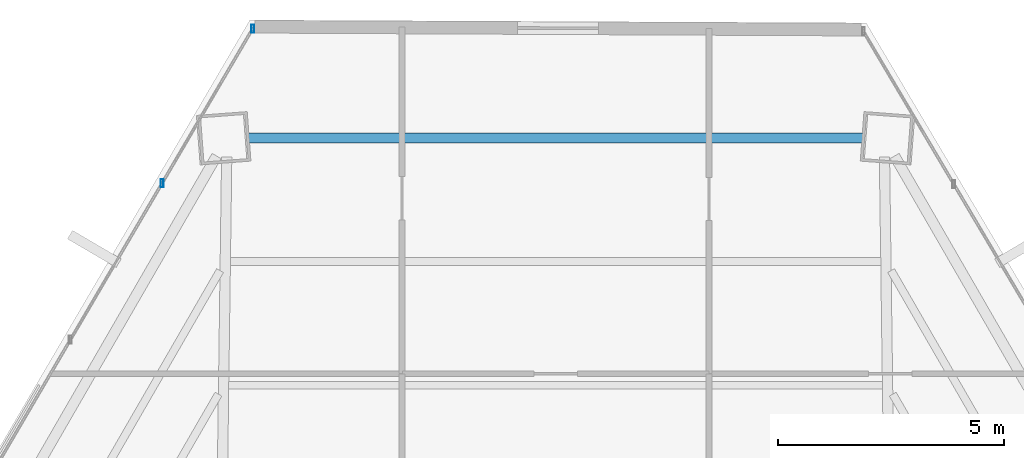
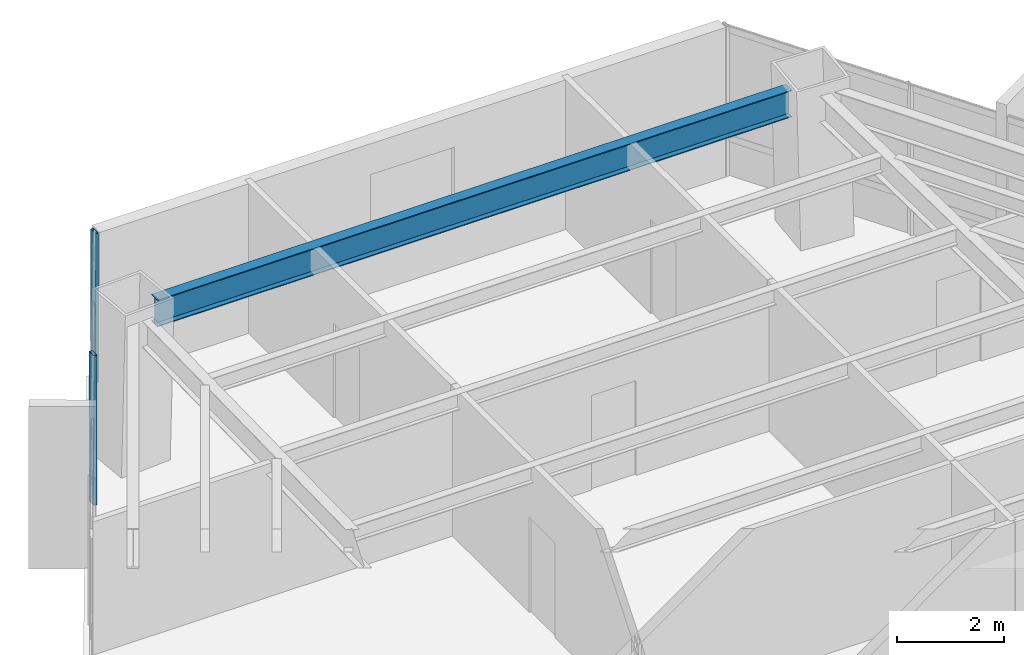
# One storey, part 25 of 35: 2 members, 1 beam, 1 element without a shape of its own.
"""IFC4 building model written with IfcOpenShell, lengths in metres."""

from ifc_helpers import new_model, si_unit, direction, frame, origin, origin_2d, place, context, subcontext, project, spatial, hollow_rectangle, i_section, extrude, source, transform, mapped, material, material_profile, profile_set, type_object, type_shapes, element, aggregate, save


model = new_model("IFC4")

# Units and contexts
model_context = context("Model", 3, precision=1e-05, world=origin(), true_north=direction((0.0, 1.0)))
body_context = subcontext(model_context, "Body", "Model", "MODEL_VIEW")
ifc_project = project(units=[si_unit("LENGTHUNIT", "METRE"), si_unit("AREAUNIT", "SQUARE_METRE"), si_unit("VOLUMEUNIT", "CUBIC_METRE"), si_unit("PLANEANGLEUNIT", "RADIAN"), si_unit("MASSUNIT", "GRAM", prefix="KILO")], contexts=[model_context])

# Site, building, storey
site_placement = place(None, origin())
site = spatial("IfcSite", under=ifc_project, at=site_placement, CompositionType="ELEMENT")
building_placement = place(site_placement, origin())
building = spatial("IfcBuilding", under=site, at=building_placement, Name="Caelisora Broadcast Tower", CompositionType="ELEMENT")
storey_placement = place(building_placement, frame((0.0, 0.0, 109.050048828125)))
storey = spatial("IfcBuildingStorey", under=building, at=storey_placement, Name="L28", CompositionType="ELEMENT", Elevation=109.050048828125)

# Beam
ifc_material_1 = material(Name="Steel Grade 350 (AS/NZS 3679.1)", Category="steel")
ifc_material_profile_1 = material_profile(ifc_material_1, i_section(OverallWidth=0.22900390625, OverallDepth=0.611572265625, WebThickness=0.011962890625, FlangeThickness=0.01953125, at=origin_2d()), Name="Steel Grade 350 (AS/NZS 3679.1)")
ifc_profile_set_1 = profile_set([ifc_material_profile_1], Name="Steel Grade 350 (AS/NZS 3679.1)")
beam_type = type_object("IfcBeamType", Name="PG03", PredefinedType="BEAM", material=ifc_profile_set_1)
shared_shape_1 = source(origin(), body_context, "Body", "SweptSolid", [
    extrude(i_section(OverallWidth=0.22900390625, OverallDepth=0.611572265625, WebThickness=0.011962890625, FlangeThickness=0.01953125, at=origin_2d()), origin(), (0.0, 0.0, 1.0), 13.63720703125),
])
type_shapes(beam_type, [shared_shape_1])
beam_placement = place(storey_placement, frame((44.818603515625, 46.421875, 3.09423828125), z_axis=(-1.0, 0.0, 0.0), x_axis=(0.0, -1.0, 0.0)))
element("IfcBeam", 1, at=beam_placement, inside=storey, type_object=beam_type, Name="L28 beam PG03", PredefinedType="BEAM", context=body_context, shape_type="MappedRepresentation", body=[
    mapped(shared_shape_1, transform((0.0, 0.0, 0.0), scale=1.0)),
])

# Curtain wall, members
ifc_material_2 = material(Name="Unitised Aluminium and Low-E Glass Curtain Wall", Category="glass")
curtain_wall_type = type_object("IfcCurtainWallType", Name="CW-Z2", PredefinedType="NOTDEFINED", material=ifc_material_2)
curtain_wall_placement = place(storey_placement, origin())
curtain_wall = element("IfcCurtainWall", 2, at=curtain_wall_placement, inside=storey, type_object=curtain_wall_type, Name="L28 curtain wall CW-Z2", PredefinedType="NOTDEFINED")
ifc_material_3 = material(Name="Aluminium 6063-T6 Anodised Terracotta Bronze", Category="aluminium")
ifc_material_profile_2 = material_profile(ifc_material_3, hollow_rectangle(XDim=0.06494140625, YDim=0.179931640625, WallThickness=0.00341796875, at=origin_2d()), Name="Aluminium 6063-T6 Anodised Terracotta Bronze")
ifc_profile_set_2 = profile_set([ifc_material_profile_2], Name="Aluminium 6063-T6 Anodised Terracotta Bronze")
member_type = type_object("IfcMemberType", Name="CWM-02", PredefinedType="MULLION", material=ifc_profile_set_2)
shared_shape_2 = source(origin(), body_context, "Body", "SweptSolid", [
    extrude(hollow_rectangle(XDim=0.06494140625, YDim=0.179931640625, WallThickness=0.00341796875, at=origin_2d()), origin(), (0.0, 0.0, 1.0), 3.39990234375),
])
type_shapes(member_type, [shared_shape_2])
member_1_placement = place(storey_placement, frame((29.283203125, 45.418212890625, 0.0), z_axis=(0.0, 0.0, 1.0), x_axis=(1.0, 0.0, 0.0)))
member_1 = element("IfcMember", 3, at=member_1_placement, type_object=member_type, Name="L28-CW-B11 mullion #2", PredefinedType="MULLION", context=body_context, shape_type="MappedRepresentation", body=[
    mapped(shared_shape_2, transform((0.0, 0.0, 0.0), scale=1.0)),
])
member_2_placement = place(storey_placement, frame((31.289794921875, 48.843017578125, 0.0), z_axis=(0.0, 0.0, 1.0), x_axis=(1.0, 0.0, 0.0)))
member_2 = element("IfcMember", 4, at=member_2_placement, type_object=member_type, Name="L28-CW-B11 mullion #3", PredefinedType="MULLION", context=body_context, shape_type="MappedRepresentation", body=[
    mapped(shared_shape_2, transform((0.0, 0.0, 0.0), scale=1.0)),
])
aggregate(curtain_wall, [member_1, member_2])

save(model, "model.ifc")
